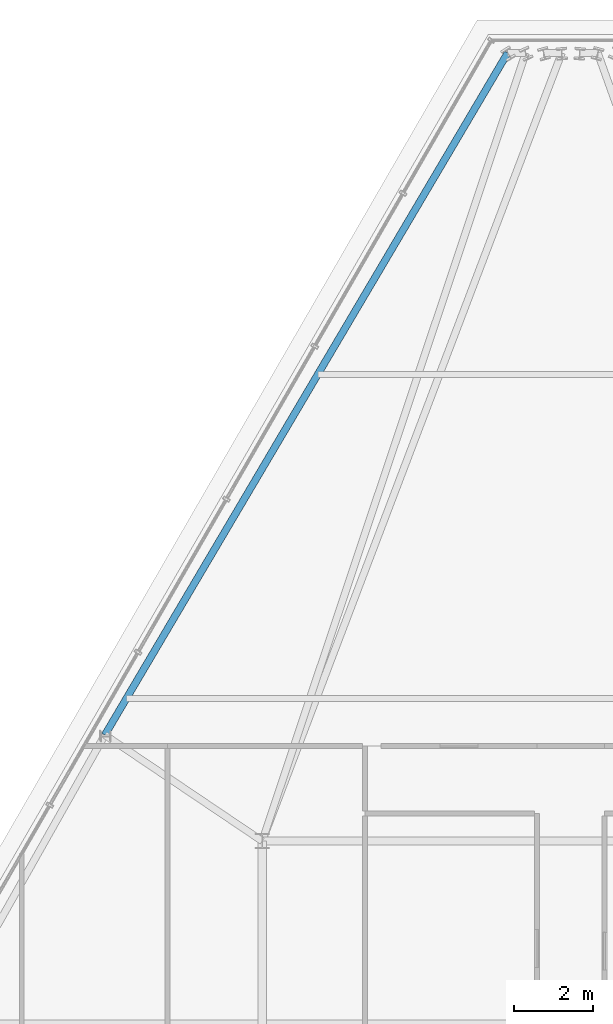
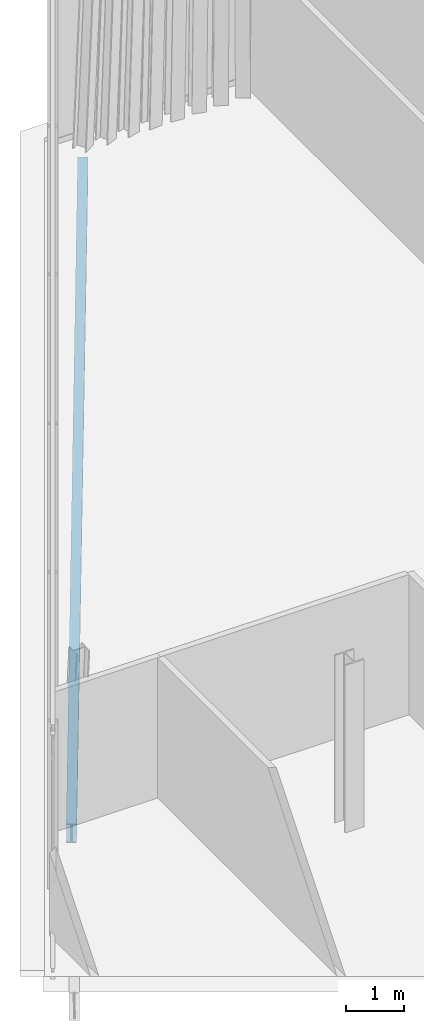
# One storey, part 14 of 32: 1 beam.
"""IFC4 building model written with IfcOpenShell, lengths in metres."""

import ifcopenshell
import ifcopenshell.guid

model = None  # the IFC model being written
_history = None  # IfcOwnerHistory: only IFC2X3 demands one
_inside = {}  # id of a spatial element -> (the spatial element, [elements in it])
_under = {}  # id of a project, library or spatial element -> (it, [spatial elements below it])
_declared = {}  # id of a project -> (the project, [libraries it declares])
_typed = {}  # id of a type object -> (the type object, [elements of that type])
_made_of = {}  # id of a material, layer set ... -> (it, [elements and type objects made of it])


def new_model(schema):
    """Start an empty IFC model of exactly this schema.

    Asked for "IFC4X3", IfcOpenShell would pick the latest addendum, in which some entities
    have other attributes; the version numbers below select the first issue.
    IFC2X3 requires an IfcOwnerHistory on every rooted entity: one is made here for all.
    """
    global model, _history
    if schema == "IFC4X3":
        model = ifcopenshell.file(schema_version=(4, 3, 0, 0))
    else:
        model = ifcopenshell.file(schema=schema)
    _inside.clear()
    _under.clear()
    _declared.clear()
    _typed.clear()
    _made_of.clear()
    _history = None
    if model.schema == "IFC2X3":
        org = make("IfcOrganization", Name="unknown")
        user = make(
            "IfcPersonAndOrganization",
            ThePerson=make("IfcPerson", FamilyName="unknown"),
            TheOrganization=org,
        )
        app = make(
            "IfcApplication",
            ApplicationDeveloper=org,
            Version="unknown",
            ApplicationFullName="unknown",
            ApplicationIdentifier="unknown",
        )
        _history = make(
            "IfcOwnerHistory",
            OwningUser=user,
            OwningApplication=app,
            ChangeAction="ADDED",
            CreationDate=0,
        )
    return model


def make(cls, **values):
    """One entity of the class cls with the attributes given. An attribute that is None is left unset."""
    return model.create_entity(
        cls, **{name: value for name, value in values.items() if value is not None}
    )


def rooted(cls, **values):
    """An entity with a GlobalId (a new one), such as an element, a storey or a relation."""
    return make(cls, GlobalId=ifcopenshell.guid.new(), OwnerHistory=_history, **values)


def si_unit(unit_type, name, prefix=None):
    """IfcSIUnit, for example si_unit("LENGTHUNIT", "METRE", prefix="MILLI")."""
    return make("IfcSIUnit", UnitType=unit_type, Prefix=prefix, Name=name)


def assignment(units):
    """IfcUnitAssignment: the units of a project."""
    return None if units is None else make("IfcUnitAssignment", Units=units)


def point(xyz):
    """IfcCartesianPoint."""
    return None if xyz is None else make("IfcCartesianPoint", Coordinates=xyz)


def direction(xyz):
    """IfcDirection."""
    return None if xyz is None else make("IfcDirection", DirectionRatios=xyz)


def frame(location, z_axis=None, x_axis=None):
    """IfcAxis2Placement3D, a coordinate frame: its origin and axes. An axis left out is left unset."""
    return make(
        "IfcAxis2Placement3D",
        Location=point(location),
        Axis=direction(z_axis),
        RefDirection=direction(x_axis),
    )


def frame_2d(location, x_axis=None):
    """IfcAxis2Placement2D, a coordinate frame in the plane: its origin and x axis."""
    return make(
        "IfcAxis2Placement2D", Location=point(location), RefDirection=direction(x_axis)
    )


def origin():
    """The frame at (0, 0, 0) with its axes left unset."""
    return frame((0.0, 0.0, 0.0))


def origin_2d():
    """The frame at (0, 0) in the plane with its x axis left unset."""
    return frame_2d((0.0, 0.0))


def place(relative_to, where):
    """IfcLocalPlacement: puts the frame where relative to a parent placement (None: the world)."""
    return make(
        "IfcLocalPlacement", PlacementRelTo=relative_to, RelativePlacement=where
    )


def context(
    kind, dimensions, precision=None, world=None, true_north=None, identifier=None
):
    """IfcGeometricRepresentationContext, for example the 3D "Model" context."""
    return make(
        "IfcGeometricRepresentationContext",
        ContextIdentifier=identifier,
        ContextType=kind,
        CoordinateSpaceDimension=dimensions,
        Precision=precision,
        WorldCoordinateSystem=world,
        TrueNorth=true_north,
    )


def subcontext(parent, identifier, kind, view, scale=None):
    """IfcGeometricRepresentationSubContext, for example "Body" below "Model"."""
    return make(
        "IfcGeometricRepresentationSubContext",
        ContextIdentifier=identifier,
        ContextType=kind,
        ParentContext=parent,
        TargetScale=scale,
        TargetView=view,
    )


def project(units=None, contexts=None):
    """IfcProject with its units and contexts."""
    return rooted(
        "IfcProject",
        Name="project",
        RepresentationContexts=contexts,
        UnitsInContext=assignment(units),
    )


def spatial(cls, under=None, at=None, **own):
    """A site, building, storey or space (cls), placed at a placement, below another one or the project."""
    s = rooted(cls, ObjectPlacement=at, **own)
    if under is not None:
        _under.setdefault(under.id(), (under, []))[1].append(s)
    return s


def profile(cls, at=None, kind="AREA", **sizes):
    """A parametric profile (cls). Its sizes go by their IFC names, for example OverallWidth=200.0."""
    return make(cls, ProfileType=kind, Position=at, **sizes)


def i_section(**sizes):
    """IfcIShapeProfileDef."""
    return profile("IfcIShapeProfileDef", **sizes)


def extrude(swept, where, along, depth):
    """IfcExtrudedAreaSolid: the profile swept, set in the frame where, extruded along a direction by depth."""
    return make(
        "IfcExtrudedAreaSolid",
        SweptArea=swept,
        Position=where,
        ExtrudedDirection=direction(along),
        Depth=depth,
    )


def shape(context_of_items, identifier, shape_type, items):
    """IfcShapeRepresentation: the items that make up one representation, for example the "Body"."""
    return make(
        "IfcShapeRepresentation",
        ContextOfItems=context_of_items,
        RepresentationIdentifier=identifier,
        RepresentationType=shape_type,
        Items=items,
    )


def material(Name=None, Category=None):
    """IfcMaterial."""
    return make("IfcMaterial", Name=Name, Category=Category)


def material_profile(
    of_material, cross_section, Name=None, Category=None, Priority=None
):
    """IfcMaterialProfile: a cross section and its material."""
    return make(
        "IfcMaterialProfile",
        Name=Name,
        Material=of_material,
        Profile=cross_section,
        Priority=Priority,
        Category=Category,
    )


def profile_set(profiles, Name=None, composite=None):
    """IfcMaterialProfileSet."""
    return make(
        "IfcMaterialProfileSet",
        Name=Name,
        MaterialProfiles=profiles,
        CompositeProfile=composite,
    )


def made_of(thing, what):
    """Note that an element or type object is made of a material, layer set ...; save() writes the relation."""
    if what is not None:
        _made_of.setdefault(what.id(), (what, []))[1].append(thing)
    return thing


def type_object(cls, material=None, **own):
    """A type object (cls), such as IfcWallType, which elements share."""
    return made_of(rooted(cls, **own), material)


def element(
    cls,
    number,
    at=None,
    inside=None,
    cuts=None,
    type_object=None,
    material=None,
    context=None,
    identifier="Body",
    shape_type=None,
    held_by="IfcProductDefinitionShape",
    body=None,
    shapes=None,
    **own,
):
    """One element of the class cls, such as IfcWall. Its Tag is "e" and its number.

    at: its placement. inside: the storey or other place that contains it. cuts: it is an
    opening in that element (IfcRelVoidsElement). A single representation is given by context,
    identifier, shape_type and body (its items); several are given by shapes. held_by: the class
    of the entity that holds the representations. save() writes the other relations.
    """
    e = rooted(cls, Tag="e%d" % number, ObjectPlacement=at, **own)
    if body is not None:
        shapes = [shape(context, identifier, shape_type, body)]
    if shapes is not None:
        e.Representation = make(held_by, Representations=shapes)
    if inside is not None:
        _inside.setdefault(inside.id(), (inside, []))[1].append(e)
    if cuts is not None:
        rooted(
            "IfcRelVoidsElement", RelatingBuildingElement=cuts, RelatedOpeningElement=e
        )
    if type_object is not None:
        _typed.setdefault(type_object.id(), (type_object, []))[1].append(e)
    return made_of(e, material)


def aggregate(whole, parts):
    """IfcRelAggregates: a whole, such as a stair, and the parts it consists of."""
    return rooted("IfcRelAggregates", RelatingObject=whole, RelatedObjects=parts)


def save(model, path):
    """Write the relations noted so far, then the file.

    IfcRelAggregates (storeys below a building ...), IfcRelContainedInSpatialStructure (elements
    in a storey), IfcRelDefinesByType, IfcRelAssociatesMaterial and IfcRelDeclares: one each for
    every whole, place, type object, material and project.
    """
    for whole, parts in _under.values():
        aggregate(whole, parts)
    for where, things in _inside.values():
        rooted(
            "IfcRelContainedInSpatialStructure",
            RelatedElements=things,
            RelatingStructure=where,
        )
    for kind, things in _typed.values():
        rooted("IfcRelDefinesByType", RelatedObjects=things, RelatingType=kind)
    for what, things in _made_of.values():
        rooted("IfcRelAssociatesMaterial", RelatedObjects=things, RelatingMaterial=what)
    for by, libraries in _declared.values():
        rooted("IfcRelDeclares", RelatingContext=by, RelatedDefinitions=libraries)
    model.write(path)


model = new_model("IFC4")

# Units and contexts
model_context = context("Model", 3, precision=1e-05, world=origin(), true_north=direction((0.0, 1.0)))
body_context = subcontext(model_context, "Body", "Model", "MODEL_VIEW")
ifc_project = project(units=[si_unit("LENGTHUNIT", "METRE"), si_unit("AREAUNIT", "SQUARE_METRE"), si_unit("VOLUMEUNIT", "CUBIC_METRE"), si_unit("PLANEANGLEUNIT", "RADIAN"), si_unit("MASSUNIT", "GRAM", prefix="KILO")], contexts=[model_context])

# Site, building, storey
site_placement = place(None, origin())
site = spatial("IfcSite", under=ifc_project, at=site_placement, CompositionType="ELEMENT")
building_placement = place(site_placement, origin())
building = spatial("IfcBuilding", under=site, at=building_placement, Name="Ndaravel Arena Tower", CompositionType="ELEMENT")
storey_placement = place(building_placement, frame((0.0, 0.0, 294.699951171875)))
storey = spatial("IfcBuildingStorey", under=building, at=storey_placement, Name="L72", CompositionType="ELEMENT", Elevation=294.699951171875)

# Beam
ifc_material = material(Name="Steel S355", Category="steel")
ifc_material_profile = material_profile(ifc_material, i_section(OverallWidth=0.179931640625, OverallDepth=0.39990234375, WebThickness=0.008544921875, FlangeThickness=0.013427734375, FilletRadius=0.02099609375, at=origin_2d()), Name="IPE 400")
ifc_profile_set = profile_set([ifc_material_profile], Name="Steel S355")
beam_type = type_object("IfcBeamType", Name="BM-SPAN-IPE400", PredefinedType="SPANDREL", material=ifc_profile_set)
beam_placement = place(storey_placement, frame((40.40576171875, 43.12548828125, -0.419921875), z_axis=(-0.508504643002, -0.861059247697, 0.0), x_axis=(0.861059247697, -0.508504643002, 0.0)))
element("IfcBeam", 1, at=beam_placement, inside=storey, type_object=beam_type, Name="L72 Perimeter Spandrel Beam SP-18", PredefinedType="SPANDREL", context=body_context, shape_type="SweptSolid", body=[
    extrude(i_section(OverallWidth=0.179931640625, OverallDepth=0.39990234375, WebThickness=0.008544921875, FlangeThickness=0.013427734375, FilletRadius=0.02099609375, at=origin_2d()), origin(), (0.0, 0.0, 1.0), 20.027587890625),
])

save(model, "model.ifc")
